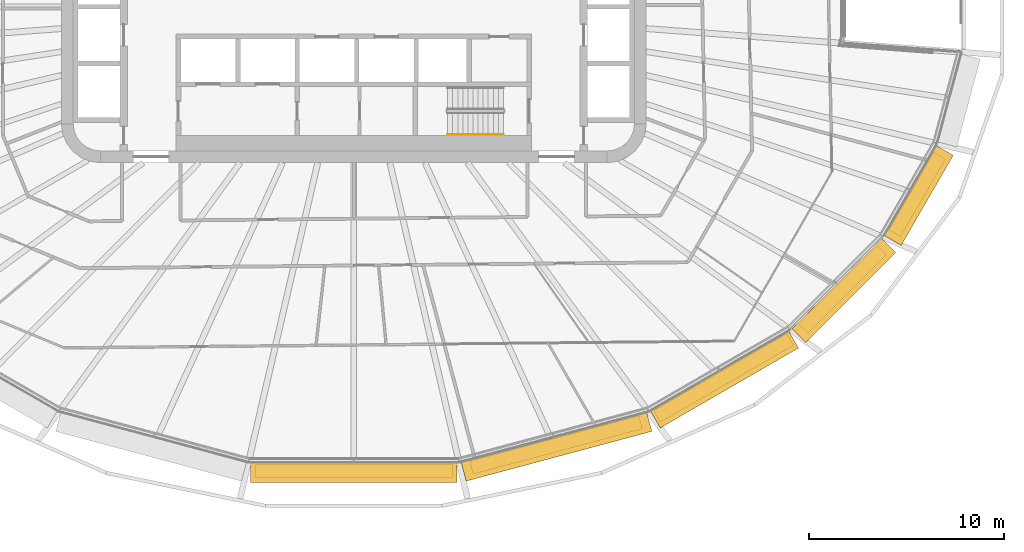
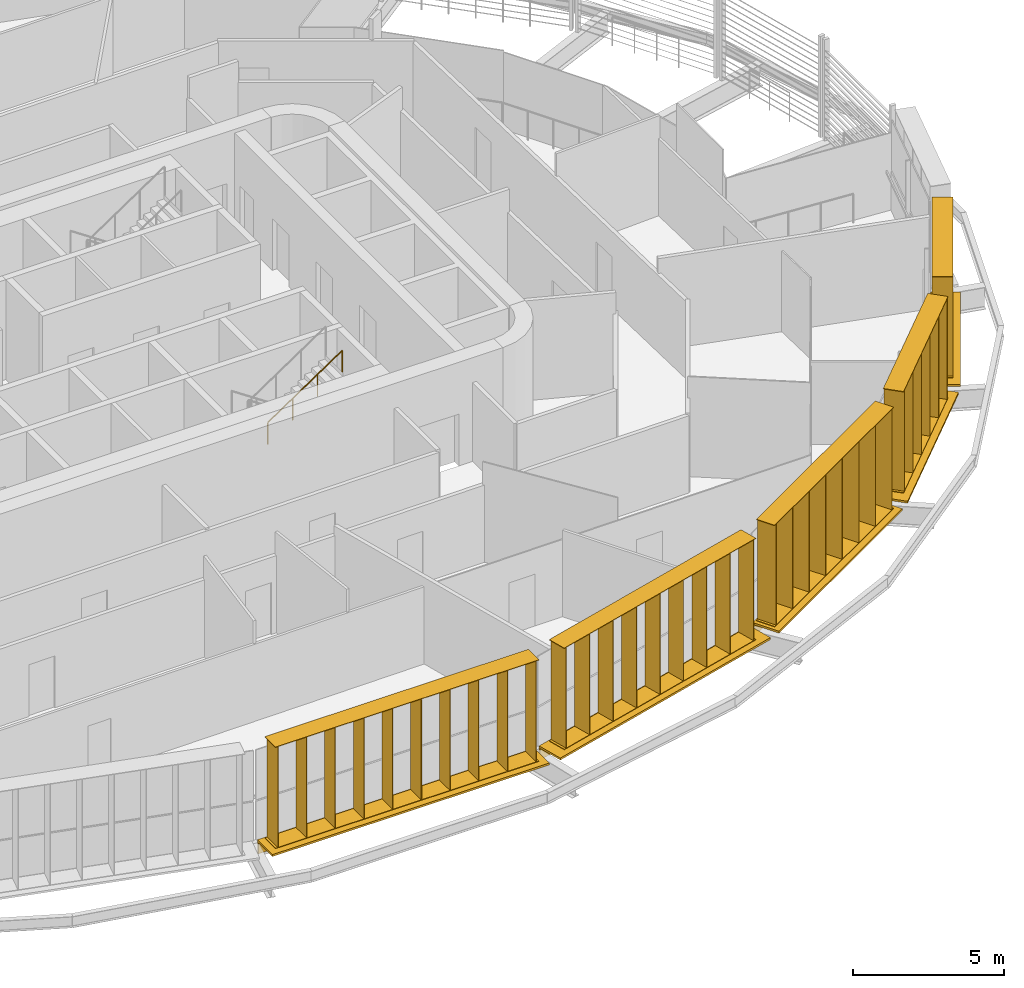
# One storey, part 21 of 24: 10 shading devices, 1 railing.
"""IFC4 building model written with IfcOpenShell, lengths in metres."""

from ifc_helpers import new_model, si_unit, direction, frame, origin, origin_2d, place, context, subcontext, project, spatial, rectangle, circle, extrude, material, type_object, element, save


model = new_model("IFC4")

# Units and contexts
model_context = context("Model", 3, precision=1e-05, world=origin(), true_north=direction((0.0, 1.0)))
body_context = subcontext(model_context, "Body", "Model", "MODEL_VIEW")
ifc_project = project(units=[si_unit("LENGTHUNIT", "METRE"), si_unit("AREAUNIT", "SQUARE_METRE"), si_unit("VOLUMEUNIT", "CUBIC_METRE"), si_unit("PLANEANGLEUNIT", "RADIAN"), si_unit("MASSUNIT", "GRAM", prefix="KILO")], contexts=[model_context])

# Site, building, storey
site_placement = place(None, origin())
site = spatial("IfcSite", under=ifc_project, at=site_placement, CompositionType="ELEMENT")
building_placement = place(site_placement, origin())
building = spatial("IfcBuilding", under=site, at=building_placement, Name="Sahrelin Media Tower", CompositionType="ELEMENT")
storey_placement = place(building_placement, frame((0.0, 0.0, 71.39990234375)))
storey = spatial("IfcBuildingStorey", under=building, at=storey_placement, Name="L12", CompositionType="ELEMENT", Elevation=71.39990234375)

# Shading devices
ifc_material_1 = material(Name="Champagne anodised aluminium 6063-T6", Category="aluminium")
shading_device_type_1 = type_object("IfcShadingDeviceType", Name="Fin cassette", PredefinedType="USERDEFINED", material=ifc_material_1)
placement_1 = place(storey_placement, frame((0.0, -23.374755859375, 0.0), z_axis=(0.0, 0.0, 1.0), x_axis=(-1.0, 0.0, 0.0)))
element("IfcShadingDevice", 1, at=placement_1, inside=storey, type_object=shading_device_type_1, Name="L12:FIN:L12-18", ObjectType="FIN", PredefinedType="USERDEFINED", context=body_context, shape_type="SweptSolid", body=[
    extrude(rectangle(XDim=10.10009765625, YDim=0.699951171875, at=origin_2d()), frame((0.0, 0.419921875, 0.0)), (0.0, 0.0, 1.0), 0.02001953125),
    extrude(rectangle(XDim=10.10009765625, YDim=0.699951171875, at=origin_2d()), frame((0.0, 0.419921875, 4.10009765625)), (0.0, 0.0, 1.0), 0.02001953125),
    extrude(rectangle(XDim=0.02001953125, YDim=0.699951171875, at=origin_2d()), frame((-4.949951171875, 0.419921875, 0.010009765625), z_axis=(0.0, 0.0, 1.0), x_axis=(1.0, 0.0, 0.0)), (0.0, 0.0, 1.0), 4.10009765625),
    extrude(rectangle(XDim=0.02001953125, YDim=0.699951171875, at=origin_2d()), frame((-3.85009765625, 0.419921875, 0.010009765625), z_axis=(0.0, 0.0, 1.0), x_axis=(1.0, 0.0, 0.0)), (0.0, 0.0, 1.0), 4.10009765625),
    extrude(rectangle(XDim=0.02001953125, YDim=0.699951171875, at=origin_2d()), frame((-2.75, 0.419921875, 0.010009765625), z_axis=(0.0, 0.0, 1.0), x_axis=(1.0, 0.0, 0.0)), (0.0, 0.0, 1.0), 4.10009765625),
    extrude(rectangle(XDim=0.02001953125, YDim=0.699951171875, at=origin_2d()), frame((-1.64990234375, 0.419921875, 0.010009765625), z_axis=(0.0, 0.0, 1.0), x_axis=(1.0, 0.0, 0.0)), (0.0, 0.0, 1.0), 4.10009765625),
    extrude(rectangle(XDim=0.02001953125, YDim=0.699951171875, at=origin_2d()), frame((-0.550048828125, 0.419921875, 0.010009765625), z_axis=(0.0, 0.0, 1.0), x_axis=(1.0, 0.0, 0.0)), (0.0, 0.0, 1.0), 4.10009765625),
    extrude(rectangle(XDim=0.02001953125, YDim=0.699951171875, at=origin_2d()), frame((0.550048828125, 0.419921875, 0.010009765625), z_axis=(0.0, 0.0, 1.0), x_axis=(1.0, 0.0, 0.0)), (0.0, 0.0, 1.0), 4.10009765625),
    extrude(rectangle(XDim=0.02001953125, YDim=0.699951171875, at=origin_2d()), frame((1.64990234375, 0.419921875, 0.010009765625), z_axis=(0.0, 0.0, 1.0), x_axis=(1.0, 0.0, 0.0)), (0.0, 0.0, 1.0), 4.10009765625),
    extrude(rectangle(XDim=0.02001953125, YDim=0.699951171875, at=origin_2d()), frame((2.75, 0.419921875, 0.010009765625), z_axis=(0.0, 0.0, 1.0), x_axis=(1.0, 0.0, 0.0)), (0.0, 0.0, 1.0), 4.10009765625),
    extrude(rectangle(XDim=0.02001953125, YDim=0.699951171875, at=origin_2d()), frame((3.85009765625, 0.419921875, 0.010009765625), z_axis=(0.0, 0.0, 1.0), x_axis=(1.0, 0.0, 0.0)), (0.0, 0.0, 1.0), 4.10009765625),
    extrude(rectangle(XDim=0.02001953125, YDim=0.699951171875, at=origin_2d()), frame((4.949951171875, 0.419921875, 0.010009765625), z_axis=(0.0, 0.0, 1.0), x_axis=(1.0, 0.0, 0.0)), (0.0, 0.0, 1.0), 4.10009765625),
])
placement_2 = place(storey_placement, frame((10.263916015625, -22.072509765625, 0.0), z_axis=(0.0, 0.0, 1.0), x_axis=(-0.965928857556, -0.258807731996, 0.0)))
element("IfcShadingDevice", 2, at=placement_2, inside=storey, type_object=shading_device_type_1, Name="L12:FIN:L12-19", ObjectType="FIN", PredefinedType="USERDEFINED", context=body_context, shape_type="SweptSolid", body=[
    extrude(rectangle(XDim=9.0, YDim=0.699951171875, at=origin_2d()), frame((0.0, 0.419921875, 0.0)), (0.0, 0.0, 1.0), 0.02001953125),
    extrude(rectangle(XDim=9.0, YDim=0.699951171875, at=origin_2d()), frame((0.0, 0.419921875, 4.10009765625)), (0.0, 0.0, 1.0), 0.02001953125),
    extrude(rectangle(XDim=0.02001953125, YDim=0.699951171875, at=origin_2d()), frame((-4.39990234375, 0.419921875, 0.010009765625), z_axis=(0.0, 0.0, 1.0), x_axis=(1.0, 0.0, 0.0)), (0.0, 0.0, 1.0), 4.10009765625),
    extrude(rectangle(XDim=0.02001953125, YDim=0.699951171875, at=origin_2d()), frame((-3.300048828125, 0.419921875, 0.010009765625), z_axis=(0.0, 0.0, 1.0), x_axis=(1.0, 0.0, 0.0)), (0.0, 0.0, 1.0), 4.10009765625),
    extrude(rectangle(XDim=0.02001953125, YDim=0.699951171875, at=origin_2d()), frame((-2.199951171875, 0.419921875, 0.010009765625), z_axis=(0.0, 0.0, 1.0), x_axis=(1.0, 0.0, 0.0)), (0.0, 0.0, 1.0), 4.10009765625),
    extrude(rectangle(XDim=0.02001953125, YDim=0.699951171875, at=origin_2d()), frame((-1.10009765625, 0.419921875, 0.010009765625), z_axis=(0.0, 0.0, 1.0), x_axis=(1.0, 0.0, 0.0)), (0.0, 0.0, 1.0), 4.10009765625),
    extrude(rectangle(XDim=0.02001953125, YDim=0.699951171875, at=origin_2d()), frame((0.0, 0.419921875, 0.010009765625), z_axis=(0.0, 0.0, 1.0), x_axis=(1.0, 0.0, 0.0)), (0.0, 0.0, 1.0), 4.10009765625),
    extrude(rectangle(XDim=0.02001953125, YDim=0.699951171875, at=origin_2d()), frame((1.10009765625, 0.419921875, 0.010009765625), z_axis=(0.0, 0.0, 1.0), x_axis=(1.0, 0.0, 0.0)), (0.0, 0.0, 1.0), 4.10009765625),
    extrude(rectangle(XDim=0.02001953125, YDim=0.699951171875, at=origin_2d()), frame((2.199951171875, 0.419921875, 0.010009765625), z_axis=(0.0, 0.0, 1.0), x_axis=(1.0, 0.0, 0.0)), (0.0, 0.0, 1.0), 4.10009765625),
    extrude(rectangle(XDim=0.02001953125, YDim=0.699951171875, at=origin_2d()), frame((3.300048828125, 0.419921875, 0.010009765625), z_axis=(0.0, 0.0, 1.0), x_axis=(1.0, 0.0, 0.0)), (0.0, 0.0, 1.0), 4.10009765625),
    extrude(rectangle(XDim=0.02001953125, YDim=0.699951171875, at=origin_2d()), frame((4.39990234375, 0.419921875, 0.010009765625), z_axis=(0.0, 0.0, 1.0), x_axis=(1.0, 0.0, 0.0)), (0.0, 0.0, 1.0), 4.10009765625),
])
placement_3 = place(storey_placement, frame((18.75830078125, -18.672119140625, 0.0), z_axis=(0.0, 0.0, 1.0), x_axis=(-0.866019052629, -0.500011000363, 0.0)))
element("IfcShadingDevice", 3, at=placement_3, inside=storey, type_object=shading_device_type_1, Name="L12:FIN:L12-20", ObjectType="FIN", PredefinedType="USERDEFINED", context=body_context, shape_type="SweptSolid", body=[
    extrude(rectangle(XDim=7.89990234375, YDim=0.699951171875, at=origin_2d()), frame((0.0, 0.419921875, 0.0)), (0.0, 0.0, 1.0), 0.02001953125),
    extrude(rectangle(XDim=7.89990234375, YDim=0.699951171875, at=origin_2d()), frame((0.0, 0.419921875, 4.10009765625)), (0.0, 0.0, 1.0), 0.02001953125),
    extrude(rectangle(XDim=0.02001953125, YDim=0.699951171875, at=origin_2d()), frame((-3.85009765625, 0.419921875, 0.010009765625), z_axis=(0.0, 0.0, 1.0), x_axis=(1.0, 0.0, 0.0)), (0.0, 0.0, 1.0), 4.10009765625),
    extrude(rectangle(XDim=0.02001953125, YDim=0.699951171875, at=origin_2d()), frame((-2.75, 0.419921875, 0.010009765625), z_axis=(0.0, 0.0, 1.0), x_axis=(1.0, 0.0, 0.0)), (0.0, 0.0, 1.0), 4.10009765625),
    extrude(rectangle(XDim=0.02001953125, YDim=0.699951171875, at=origin_2d()), frame((-1.64990234375, 0.419921875, 0.010009765625), z_axis=(0.0, 0.0, 1.0), x_axis=(1.0, 0.0, 0.0)), (0.0, 0.0, 1.0), 4.10009765625),
    extrude(rectangle(XDim=0.02001953125, YDim=0.699951171875, at=origin_2d()), frame((-0.550048828125, 0.419921875, 0.010009765625), z_axis=(0.0, 0.0, 1.0), x_axis=(1.0, 0.0, 0.0)), (0.0, 0.0, 1.0), 4.10009765625),
    extrude(rectangle(XDim=0.02001953125, YDim=0.699951171875, at=origin_2d()), frame((0.550048828125, 0.419921875, 0.010009765625), z_axis=(0.0, 0.0, 1.0), x_axis=(1.0, 0.0, 0.0)), (0.0, 0.0, 1.0), 4.10009765625),
    extrude(rectangle(XDim=0.02001953125, YDim=0.699951171875, at=origin_2d()), frame((1.64990234375, 0.419921875, 0.010009765625), z_axis=(0.0, 0.0, 1.0), x_axis=(1.0, 0.0, 0.0)), (0.0, 0.0, 1.0), 4.10009765625),
    extrude(rectangle(XDim=0.02001953125, YDim=0.699951171875, at=origin_2d()), frame((2.75, 0.419921875, 0.010009765625), z_axis=(0.0, 0.0, 1.0), x_axis=(1.0, 0.0, 0.0)), (0.0, 0.0, 1.0), 4.10009765625),
    extrude(rectangle(XDim=0.02001953125, YDim=0.699951171875, at=origin_2d()), frame((3.85009765625, 0.419921875, 0.010009765625), z_axis=(0.0, 0.0, 1.0), x_axis=(1.0, 0.0, 0.0)), (0.0, 0.0, 1.0), 4.10009765625),
])
placement_4 = place(storey_placement, frame((24.771240234375, -14.19482421875, 0.0), z_axis=(0.0, 0.0, 1.0), x_axis=(-0.707106781187, -0.707106781187, 0.0)))
element("IfcShadingDevice", 4, at=placement_4, inside=storey, type_object=shading_device_type_1, Name="L12:FIN:L12-21", ObjectType="FIN", PredefinedType="USERDEFINED", context=body_context, shape_type="SweptSolid", body=[
    extrude(rectangle(XDim=5.699951171875, YDim=0.699951171875, at=origin_2d()), frame((0.0, 0.419921875, 0.0)), (0.0, 0.0, 1.0), 0.02001953125),
    extrude(rectangle(XDim=5.699951171875, YDim=0.699951171875, at=origin_2d()), frame((0.0, 0.419921875, 4.10009765625)), (0.0, 0.0, 1.0), 0.02001953125),
    extrude(rectangle(XDim=0.02001953125, YDim=0.699951171875, at=origin_2d()), frame((-2.75, 0.419921875, 0.010009765625), z_axis=(0.0, 0.0, 1.0), x_axis=(1.0, 0.0, 0.0)), (0.0, 0.0, 1.0), 4.10009765625),
    extrude(rectangle(XDim=0.02001953125, YDim=0.699951171875, at=origin_2d()), frame((-1.64990234375, 0.419921875, 0.010009765625), z_axis=(0.0, 0.0, 1.0), x_axis=(1.0, 0.0, 0.0)), (0.0, 0.0, 1.0), 4.10009765625),
    extrude(rectangle(XDim=0.02001953125, YDim=0.699951171875, at=origin_2d()), frame((-0.550048828125, 0.419921875, 0.010009765625), z_axis=(0.0, 0.0, 1.0), x_axis=(1.0, 0.0, 0.0)), (0.0, 0.0, 1.0), 4.10009765625),
    extrude(rectangle(XDim=0.02001953125, YDim=0.699951171875, at=origin_2d()), frame((0.550048828125, 0.419921875, 0.010009765625), z_axis=(0.0, 0.0, 1.0), x_axis=(1.0, 0.0, 0.0)), (0.0, 0.0, 1.0), 4.10009765625),
    extrude(rectangle(XDim=0.02001953125, YDim=0.699951171875, at=origin_2d()), frame((1.64990234375, 0.419921875, 0.010009765625), z_axis=(0.0, 0.0, 1.0), x_axis=(1.0, 0.0, 0.0)), (0.0, 0.0, 1.0), 4.10009765625),
    extrude(rectangle(XDim=0.02001953125, YDim=0.699951171875, at=origin_2d()), frame((2.75, 0.419921875, 0.010009765625), z_axis=(0.0, 0.0, 1.0), x_axis=(1.0, 0.0, 0.0)), (0.0, 0.0, 1.0), 4.10009765625),
])
placement_5 = place(storey_placement, frame((28.5341796875, -9.4189453125, 0.0), z_axis=(0.0, 0.0, 1.0), x_axis=(-0.500011000363, -0.866019052629, 0.0)))
element("IfcShadingDevice", 5, at=placement_5, inside=storey, type_object=shading_device_type_1, Name="L12:FIN:L12-22", ObjectType="FIN", PredefinedType="USERDEFINED", context=body_context, shape_type="SweptSolid", body=[
    extrude(rectangle(XDim=4.60009765625, YDim=0.699951171875, at=origin_2d()), frame((0.0, 0.419921875, 0.0)), (0.0, 0.0, 1.0), 0.02001953125),
    extrude(rectangle(XDim=4.60009765625, YDim=0.699951171875, at=origin_2d()), frame((0.0, 0.419921875, 4.10009765625)), (0.0, 0.0, 1.0), 0.02001953125),
    extrude(rectangle(XDim=0.02001953125, YDim=0.699951171875, at=origin_2d()), frame((-2.199951171875, 0.419921875, 0.010009765625), z_axis=(0.0, 0.0, 1.0), x_axis=(1.0, 0.0, 0.0)), (0.0, 0.0, 1.0), 4.10009765625),
    extrude(rectangle(XDim=0.02001953125, YDim=0.699951171875, at=origin_2d()), frame((-1.10009765625, 0.419921875, 0.010009765625), z_axis=(0.0, 0.0, 1.0), x_axis=(1.0, 0.0, 0.0)), (0.0, 0.0, 1.0), 4.10009765625),
    extrude(rectangle(XDim=0.02001953125, YDim=0.699951171875, at=origin_2d()), frame((0.0, 0.419921875, 0.010009765625), z_axis=(0.0, 0.0, 1.0), x_axis=(1.0, 0.0, 0.0)), (0.0, 0.0, 1.0), 4.10009765625),
    extrude(rectangle(XDim=0.02001953125, YDim=0.699951171875, at=origin_2d()), frame((1.10009765625, 0.419921875, 0.010009765625), z_axis=(0.0, 0.0, 1.0), x_axis=(1.0, 0.0, 0.0)), (0.0, 0.0, 1.0), 4.10009765625),
    extrude(rectangle(XDim=0.02001953125, YDim=0.699951171875, at=origin_2d()), frame((2.199951171875, 0.419921875, 0.010009765625), z_axis=(0.0, 0.0, 1.0), x_axis=(1.0, 0.0, 0.0)), (0.0, 0.0, 1.0), 4.10009765625),
])

# Railing
ifc_material_2 = material(Name="Steel S355", Category="steel")
railing_type = type_object("IfcRailingType", Name="Stair handrail 900", PredefinedType="HANDRAIL", material=ifc_material_2)
railing_placement = place(storey_placement, frame((4.81494140625, -6.550048828125, 2.275146484375)))
element("IfcRailing", 6, at=railing_placement, inside=storey, type_object=railing_type, Name="L12 ST2 stair handrail 2", PredefinedType="HANDRAIL", context=body_context, shape_type="SweptSolid", body=[
    extrude(circle(Radius=0.02392578125, at=origin_2d()), frame((0.0, 0.0, 0.8759765625), z_axis=(0.829590901723, 0.0, 0.558371682465), x_axis=(0.0, 1.0, 0.0)), (0.0, 0.0, 1.0), 3.447509765625),
    extrude(circle(Radius=0.02099609375, at=origin_2d()), origin(), (0.0, 0.0, 1.0), 0.851806640625),
    extrude(circle(Radius=0.02099609375, at=origin_2d()), frame((0.953369140625, 0.0, 0.6416015625)), (0.0, 0.0, 1.0), 0.851806640625),
    extrude(circle(Radius=0.02099609375, at=origin_2d()), frame((1.90673828125, 0.0, 1.283447265625)), (0.0, 0.0, 1.0), 0.851806640625),
    extrude(circle(Radius=0.02099609375, at=origin_2d()), frame((2.860107421875, 0.0, 1.925048828125)), (0.0, 0.0, 1.0), 0.851806640625),
])

# Shading devices
shading_device_type_2 = type_object("IfcShadingDeviceType", Name="Sunshade band", PredefinedType="USERDEFINED", material=ifc_material_1)
element("IfcShadingDevice", 7, at=placement_1, inside=storey, type_object=shading_device_type_2, Name="L12:SUN:L12-18", ObjectType="SUNSHADE", PredefinedType="USERDEFINED", context=body_context, shape_type="SweptSolid", body=[
    extrude(rectangle(XDim=10.607421875, YDim=0.050048828125, at=origin_2d()), frame((0.0, 0.044921875, -0.55126953125)), (0.0, 0.0, 1.0), 0.471435546875),
    extrude(rectangle(XDim=10.607421875, YDim=1.0, at=origin_2d()), frame((0.0, 0.52001953125, -0.080078125)), (0.0, 0.0, 1.0), 0.080078125),
    extrude(rectangle(XDim=0.10009765625, YDim=0.074951171875, at=origin_2d()), frame((-5.20361328125, -0.017578125, -0.47021484375)), (0.0, 0.0, 1.0), 0.300048828125),
    extrude(rectangle(XDim=0.10009765625, YDim=0.074951171875, at=origin_2d()), frame((-3.468994140625, -0.017578125, -0.47021484375)), (0.0, 0.0, 1.0), 0.300048828125),
    extrude(rectangle(XDim=0.10009765625, YDim=0.074951171875, at=origin_2d()), frame((-1.734619140625, -0.017578125, -0.47021484375)), (0.0, 0.0, 1.0), 0.300048828125),
    extrude(rectangle(XDim=0.10009765625, YDim=0.074951171875, at=origin_2d()), frame((0.0, -0.017578125, -0.47021484375)), (0.0, 0.0, 1.0), 0.300048828125),
    extrude(rectangle(XDim=0.10009765625, YDim=0.074951171875, at=origin_2d()), frame((1.734619140625, -0.017578125, -0.47021484375)), (0.0, 0.0, 1.0), 0.300048828125),
    extrude(rectangle(XDim=0.10009765625, YDim=0.074951171875, at=origin_2d()), frame((3.468994140625, -0.017578125, -0.47021484375)), (0.0, 0.0, 1.0), 0.300048828125),
    extrude(rectangle(XDim=0.10009765625, YDim=0.074951171875, at=origin_2d()), frame((5.20361328125, -0.017578125, -0.47021484375)), (0.0, 0.0, 1.0), 0.300048828125),
])
element("IfcShadingDevice", 8, at=placement_2, inside=storey, type_object=shading_device_type_2, Name="L12:SUN:L12-19", ObjectType="SUNSHADE", PredefinedType="USERDEFINED", context=body_context, shape_type="SweptSolid", body=[
    extrude(rectangle(XDim=9.86328125, YDim=0.050048828125, at=origin_2d()), frame((0.0, 0.044921875, -0.55126953125)), (0.0, 0.0, 1.0), 0.471435546875),
    extrude(rectangle(XDim=9.86328125, YDim=1.0, at=origin_2d()), frame((0.0, 0.52001953125, -0.080078125)), (0.0, 0.0, 1.0), 0.080078125),
    extrude(rectangle(XDim=0.10009765625, YDim=0.074951171875, at=origin_2d()), frame((-4.831787109375, -0.017578125, -0.47021484375)), (0.0, 0.0, 1.0), 0.300048828125),
    extrude(rectangle(XDim=0.10009765625, YDim=0.074951171875, at=origin_2d()), frame((-2.89892578125, -0.017578125, -0.47021484375)), (0.0, 0.0, 1.0), 0.300048828125),
    extrude(rectangle(XDim=0.10009765625, YDim=0.074951171875, at=origin_2d()), frame((-0.96630859375, -0.017578125, -0.47021484375)), (0.0, 0.0, 1.0), 0.300048828125),
    extrude(rectangle(XDim=0.10009765625, YDim=0.074951171875, at=origin_2d()), frame((0.96630859375, -0.017578125, -0.47021484375)), (0.0, 0.0, 1.0), 0.300048828125),
    extrude(rectangle(XDim=0.10009765625, YDim=0.074951171875, at=origin_2d()), frame((2.89892578125, -0.017578125, -0.47021484375)), (0.0, 0.0, 1.0), 0.300048828125),
    extrude(rectangle(XDim=0.10009765625, YDim=0.074951171875, at=origin_2d()), frame((4.831787109375, -0.017578125, -0.47021484375)), (0.0, 0.0, 1.0), 0.300048828125),
])
element("IfcShadingDevice", 9, at=placement_3, inside=storey, type_object=shading_device_type_2, Name="L12:SUN:L12-20", ObjectType="SUNSHADE", PredefinedType="USERDEFINED", context=body_context, shape_type="SweptSolid", body=[
    extrude(rectangle(XDim=8.1923828125, YDim=0.050048828125, at=origin_2d()), frame((0.0, 0.044921875, -0.55126953125)), (0.0, 0.0, 1.0), 0.471435546875),
    extrude(rectangle(XDim=8.1923828125, YDim=1.0, at=origin_2d()), frame((0.0, 0.52001953125, -0.080078125)), (0.0, 0.0, 1.0), 0.080078125),
    extrude(rectangle(XDim=0.10009765625, YDim=0.074951171875, at=origin_2d()), frame((-3.99609375, -0.017578125, -0.47021484375)), (0.0, 0.0, 1.0), 0.300048828125),
    extrude(rectangle(XDim=0.10009765625, YDim=0.074951171875, at=origin_2d()), frame((-2.397705078125, -0.017578125, -0.47021484375)), (0.0, 0.0, 1.0), 0.300048828125),
    extrude(rectangle(XDim=0.10009765625, YDim=0.074951171875, at=origin_2d()), frame((-0.79931640625, -0.017578125, -0.47021484375)), (0.0, 0.0, 1.0), 0.300048828125),
    extrude(rectangle(XDim=0.10009765625, YDim=0.074951171875, at=origin_2d()), frame((0.79931640625, -0.017578125, -0.47021484375)), (0.0, 0.0, 1.0), 0.300048828125),
    extrude(rectangle(XDim=0.10009765625, YDim=0.074951171875, at=origin_2d()), frame((2.397705078125, -0.017578125, -0.47021484375)), (0.0, 0.0, 1.0), 0.300048828125),
    extrude(rectangle(XDim=0.10009765625, YDim=0.074951171875, at=origin_2d()), frame((3.99609375, -0.017578125, -0.47021484375)), (0.0, 0.0, 1.0), 0.300048828125),
])
element("IfcShadingDevice", 10, at=placement_4, inside=storey, type_object=shading_device_type_2, Name="L12:SUN:L12-21", ObjectType="SUNSHADE", PredefinedType="USERDEFINED", context=body_context, shape_type="SweptSolid", body=[
    extrude(rectangle(XDim=6.529052734375, YDim=0.050048828125, at=origin_2d()), frame((0.0, 0.044921875, -0.55126953125)), (0.0, 0.0, 1.0), 0.471435546875),
    extrude(rectangle(XDim=6.529052734375, YDim=1.0, at=origin_2d()), frame((0.0, 0.52001953125, -0.080078125)), (0.0, 0.0, 1.0), 0.080078125),
    extrude(rectangle(XDim=0.10009765625, YDim=0.074951171875, at=origin_2d()), frame((-3.16455078125, -0.017578125, -0.47021484375)), (0.0, 0.0, 1.0), 0.300048828125),
    extrude(rectangle(XDim=0.10009765625, YDim=0.074951171875, at=origin_2d()), frame((-1.582275390625, -0.017578125, -0.47021484375)), (0.0, 0.0, 1.0), 0.300048828125),
    extrude(rectangle(XDim=0.10009765625, YDim=0.074951171875, at=origin_2d()), frame((0.0, -0.017578125, -0.47021484375)), (0.0, 0.0, 1.0), 0.300048828125),
    extrude(rectangle(XDim=0.10009765625, YDim=0.074951171875, at=origin_2d()), frame((1.582275390625, -0.017578125, -0.47021484375)), (0.0, 0.0, 1.0), 0.300048828125),
    extrude(rectangle(XDim=0.10009765625, YDim=0.074951171875, at=origin_2d()), frame((3.16455078125, -0.017578125, -0.47021484375)), (0.0, 0.0, 1.0), 0.300048828125),
])
element("IfcShadingDevice", 11, at=placement_5, inside=storey, type_object=shading_device_type_2, Name="L12:SUN:L12-22", ObjectType="SUNSHADE", PredefinedType="USERDEFINED", context=body_context, shape_type="SweptSolid", body=[
    extrude(rectangle(XDim=5.33544921875, YDim=0.050048828125, at=origin_2d()), frame((0.0, 0.044921875, -0.55126953125)), (0.0, 0.0, 1.0), 0.471435546875),
    extrude(rectangle(XDim=5.33544921875, YDim=1.0, at=origin_2d()), frame((0.0, 0.52001953125, -0.080078125)), (0.0, 0.0, 1.0), 0.080078125),
    extrude(rectangle(XDim=0.10009765625, YDim=0.074951171875, at=origin_2d()), frame((-2.567626953125, -0.017578125, -0.47021484375)), (0.0, 0.0, 1.0), 0.300048828125),
    extrude(rectangle(XDim=0.10009765625, YDim=0.074951171875, at=origin_2d()), frame((-0.85595703125, -0.017578125, -0.47021484375)), (0.0, 0.0, 1.0), 0.300048828125),
    extrude(rectangle(XDim=0.10009765625, YDim=0.074951171875, at=origin_2d()), frame((0.85595703125, -0.017578125, -0.47021484375)), (0.0, 0.0, 1.0), 0.300048828125),
    extrude(rectangle(XDim=0.10009765625, YDim=0.074951171875, at=origin_2d()), frame((2.567626953125, -0.017578125, -0.47021484375)), (0.0, 0.0, 1.0), 0.300048828125),
])

save(model, "model.ifc")
